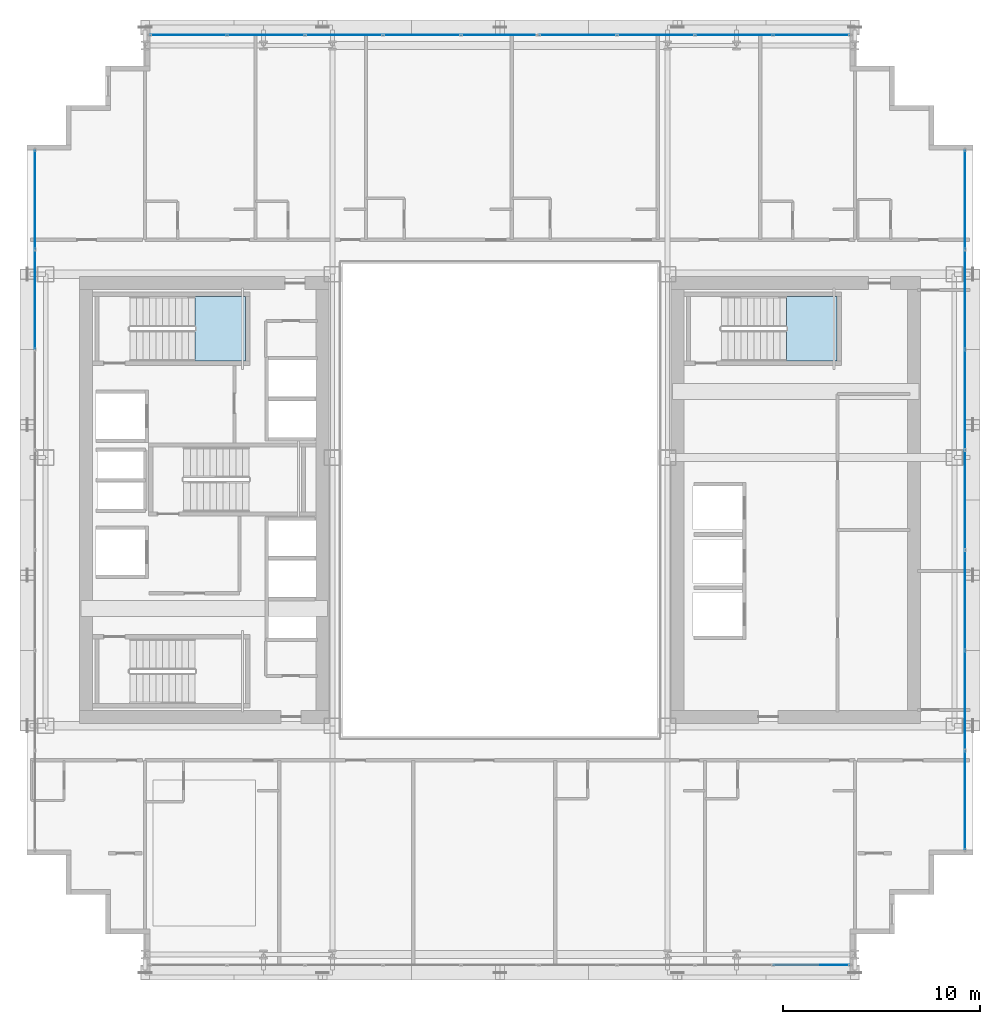
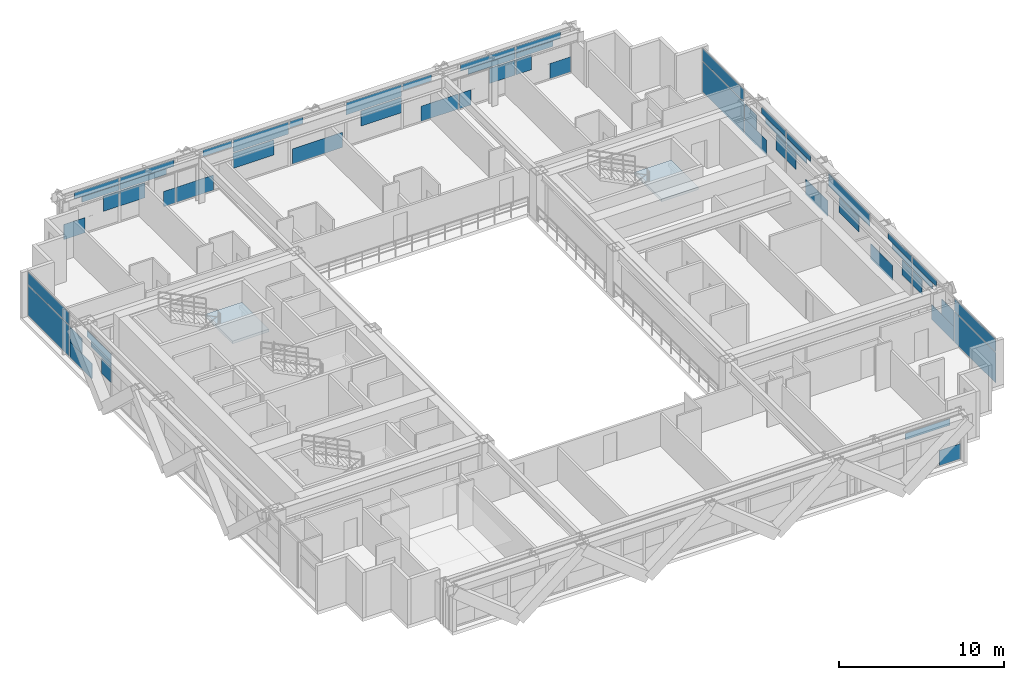
# One storey, part 24 of 35: 59 plates, 2 slabs, 6 elements without a shape of their own.
"""IFC4 building model written with IfcOpenShell, lengths in metres."""

from ifc_helpers import new_model, si_unit, direction, frame, origin, origin_2d, place, context, subcontext, project, spatial, polyline, rectangle, outline, extrude, source, transform, mapped, material, layer, layer_set, type_object, element, aggregate, save


model = new_model("IFC4")

# Units and contexts
model_context = context("Model", 3, precision=1e-05, world=origin(), true_north=direction((0.0, 1.0)))
body_context = subcontext(model_context, "Body", "Model", "MODEL_VIEW")
ifc_project = project(units=[si_unit("LENGTHUNIT", "METRE"), si_unit("AREAUNIT", "SQUARE_METRE"), si_unit("VOLUMEUNIT", "CUBIC_METRE"), si_unit("PLANEANGLEUNIT", "RADIAN"), si_unit("MASSUNIT", "GRAM", prefix="KILO")], contexts=[model_context])

# Site, building, storey
site_placement = place(None, origin())
site = spatial("IfcSite", under=ifc_project, at=site_placement, CompositionType="ELEMENT")
building_placement = place(site_placement, origin())
building = spatial("IfcBuilding", under=site, at=building_placement, Name="Ocotamira Hotel", CompositionType="ELEMENT")
storey_placement = place(building_placement, frame((0.0, 0.0, 144.0)))
storey = spatial("IfcBuildingStorey", under=building, at=storey_placement, Name="L36", CompositionType="ELEMENT", Elevation=144.0)

# Stair, slab
ifc_material_1 = material(Name="Concrete C40/50", Category="concrete")
stair_type = type_object("IfcStairType", Name="ST-CORE-1560", PredefinedType="HALF_TURN_STAIR", material=ifc_material_1)
stair_1_placement = place(storey_placement, origin())
stair_1 = element("IfcStair", 1, at=stair_1_placement, inside=storey, type_object=stair_type, Name="L36 Exit Stair ST-2", PredefinedType="HALF_TURN_STAIR")
ifc_layer_1 = layer(ifc_material_1, 0.199951171875)
ifc_layer_set_1 = layer_set([ifc_layer_1], Name="Concrete C40/50")
slab_type = type_object("IfcSlabType", Name="SLB-LAND-200", PredefinedType="LANDING", material=ifc_layer_set_1)
slab_1_placement = place(storey_placement, frame((0.0, 0.0, 1.60009765625)))
slab_1 = element("IfcSlab", 2, at=slab_1_placement, type_object=slab_type, Name="ST-2 landing 1", PredefinedType="LANDING", context=body_context, shape_type="SweptSolid", body=[
    extrude(outline(polyline([(16.530029296875, 33.050048828125), (19.090087890625, 33.050048828125), (19.090087890625, 36.330078125), (16.530029296875, 36.330078125), (16.530029296875, 33.050048828125)])), origin(), (0.0, 0.0, 1.0), 0.199951171875),
])
aggregate(stair_1, [slab_1])

stair_2_placement = place(storey_placement, origin())
stair_2 = element("IfcStair", 3, at=stair_2_placement, inside=storey, type_object=stair_type, Name="L36 Exit Stair ST-4", PredefinedType="HALF_TURN_STAIR")
slab_2_placement = place(storey_placement, frame((0.0, 0.0, 1.60009765625)))
slab_2 = element("IfcSlab", 4, at=slab_2_placement, type_object=slab_type, Name="ST-4 landing 1", PredefinedType="LANDING", context=body_context, shape_type="SweptSolid", body=[
    extrude(outline(polyline([(46.530029296875, 33.050048828125), (49.090087890625, 33.050048828125), (49.090087890625, 36.330078125), (46.530029296875, 36.330078125), (46.530029296875, 33.050048828125)])), origin(), (0.0, 0.0, 1.0), 0.199951171875),
])
aggregate(stair_2, [slab_2])

# Curtain wall, plate
ifc_material_2 = material(Name="Anodised pale-metal aluminium and solar glass", Category="aluminium")
ifc_layer_2 = layer(ifc_material_2, 0.179931640625)
ifc_layer_set_2 = layer_set([ifc_layer_2], Name="Anodised pale-metal aluminium and solar glass")
curtain_wall_type = type_object("IfcCurtainWallType", Name="CW-SYS3-Z2", PredefinedType="NOTDEFINED", material=ifc_layer_set_2)
curtain_wall_1_placement = place(storey_placement, origin())
curtain_wall_1 = element("IfcCurtainWall", 5, at=curtain_wall_1_placement, inside=storey, type_object=curtain_wall_type, Name="L36 Curtain Wall CW-3 CW-L36-W", PredefinedType="NOTDEFINED")
ifc_material_3 = material(Name="Double-silver low-E insulated solar glass", Category="glass")
ifc_layer_3 = layer(ifc_material_3, 0.031982421875)
ifc_layer_set_3 = layer_set([ifc_layer_3], Name="Double-silver low-E insulated solar glass")
plate_type = type_object("IfcPlateType", Name="CWP-VISION-32", PredefinedType="CURTAIN_PANEL", material=ifc_layer_set_3)
shared_shape_1 = source(origin(), body_context, "Body", "SweptSolid", [
    extrude(rectangle(XDim=4.9658203125, YDim=0.031982421875, at=origin_2d()), origin(), (0.0, 0.0, 1.0), 2.237548828125),
])
plate_1_placement = place(storey_placement, frame((8.419921875, 41.237060546875, 0.0751953125), z_axis=(0.0, 0.0, 1.0), x_axis=(0.0, 1.0, 0.0)))
plate_1 = element("IfcPlate", 6, at=plate_1_placement, type_object=plate_type, Name="CW-3 panel 7.1", PredefinedType="CURTAIN_PANEL", context=body_context, shape_type="MappedRepresentation", body=[
    mapped(shared_shape_1, transform((0.0, 0.0, 0.0), scale=1.0)),
])

# Curtain wall, plates
curtain_wall_2_placement = place(storey_placement, origin())
curtain_wall_2 = element("IfcCurtainWall", 7, at=curtain_wall_2_placement, inside=storey, type_object=curtain_wall_type, Name="L36 Curtain Wall CW-3 CW-L36-E", PredefinedType="NOTDEFINED")
plate_2_placement = place(storey_placement, frame((55.580078125, 10.762939453125, 0.0751953125), z_axis=(0.0, 0.0, 1.0), x_axis=(0.0, 1.0, 0.0)))
plate_2 = element("IfcPlate", 8, at=plate_2_placement, type_object=plate_type, Name="CW-3 panel 1.1", PredefinedType="CURTAIN_PANEL", context=body_context, shape_type="MappedRepresentation", body=[
    mapped(shared_shape_1, transform((0.0, 0.0, 0.0), scale=1.0)),
])
plate_3_placement = place(storey_placement, frame((55.580078125, 41.237060546875, 0.0751953125), z_axis=(0.0, 0.0, 1.0), x_axis=(0.0, 1.0, 0.0)))
plate_3 = element("IfcPlate", 9, at=plate_3_placement, type_object=plate_type, Name="CW-3 panel 7.1", PredefinedType="CURTAIN_PANEL", context=body_context, shape_type="MappedRepresentation", body=[
    mapped(shared_shape_1, transform((0.0, 0.0, 0.0), scale=1.0)),
])

curtain_wall_3_placement = place(storey_placement, origin())
curtain_wall_3 = element("IfcCurtainWall", 10, at=curtain_wall_3_placement, inside=storey, type_object=curtain_wall_type, Name="L36 Curtain Wall CW-3 CW-L36-N", PredefinedType="NOTDEFINED")
shared_shape_2 = source(origin(), body_context, "Body", "SweptSolid", [
    extrude(rectangle(XDim=3.87548828125, YDim=0.031982421875, at=origin_2d()), origin(), (0.0, 0.0, 1.0), 0.8974609375),
])
plate_4_placement = place(storey_placement, frame((28.04443359375, 49.580078125, 2.387451171875), z_axis=(0.0, 0.0, 1.0), x_axis=(1.0, 0.0, 0.0)))
plate_4 = element("IfcPlate", 11, at=plate_4_placement, type_object=plate_type, Name="CW-3 panel 4.2", PredefinedType="CURTAIN_PANEL", context=body_context, shape_type="MappedRepresentation", body=[
    mapped(shared_shape_2, transform((0.0, 0.0, 0.0), scale=1.0)),
])
plate_5_placement = place(storey_placement, frame((35.95556640625, 49.580078125, 2.387451171875), z_axis=(0.0, 0.0, 1.0), x_axis=(1.0, 0.0, 0.0)))
plate_5 = element("IfcPlate", 12, at=plate_5_placement, type_object=plate_type, Name="CW-3 panel 6.2", PredefinedType="CURTAIN_PANEL", context=body_context, shape_type="MappedRepresentation", body=[
    mapped(shared_shape_2, transform((0.0, 0.0, 0.0), scale=1.0)),
])

# Plate
shared_shape_3 = source(origin(), body_context, "Body", "SweptSolid", [
    extrude(rectangle(XDim=4.9658203125, YDim=0.031982421875, at=origin_2d()), origin(), (0.0, 0.0, 1.0), 0.8974609375),
])
plate_6_placement = place(storey_placement, frame((8.419921875, 41.237060546875, 2.387451171875), z_axis=(0.0, 0.0, 1.0), x_axis=(0.0, 1.0, 0.0)))
plate_6 = element("IfcPlate", 13, at=plate_6_placement, type_object=plate_type, Name="CW-3 panel 7.2", PredefinedType="CURTAIN_PANEL", context=body_context, shape_type="MappedRepresentation", body=[
    mapped(shared_shape_3, transform((0.0, 0.0, 0.0), scale=1.0)),
])

plate_7_placement = place(storey_placement, frame((55.580078125, 10.762939453125, 2.387451171875), z_axis=(0.0, 0.0, 1.0), x_axis=(0.0, 1.0, 0.0)))
plate_7 = element("IfcPlate", 14, at=plate_7_placement, type_object=plate_type, Name="CW-3 panel 1.2", PredefinedType="CURTAIN_PANEL", context=body_context, shape_type="MappedRepresentation", body=[
    mapped(shared_shape_3, transform((0.0, 0.0, 0.0), scale=1.0)),
])

plate_8_placement = place(storey_placement, frame((55.580078125, 41.237060546875, 2.387451171875), z_axis=(0.0, 0.0, 1.0), x_axis=(0.0, 1.0, 0.0)))
plate_8 = element("IfcPlate", 15, at=plate_8_placement, type_object=plate_type, Name="CW-3 panel 7.2", PredefinedType="CURTAIN_PANEL", context=body_context, shape_type="MappedRepresentation", body=[
    mapped(shared_shape_3, transform((0.0, 0.0, 0.0), scale=1.0)),
])

shared_shape_4 = source(origin(), body_context, "Body", "SweptSolid", [
    extrude(rectangle(XDim=2.404296875, YDim=0.031982421875, at=origin_2d()), origin(), (0.0, 0.0, 1.0), 1.118896484375),
])
plate_9_placement = place(storey_placement, frame((55.580078125, 26.0, 1.19384765625), z_axis=(0.0, 0.0, 1.0), x_axis=(0.0, 1.0, 0.0)))
plate_9 = element("IfcPlate", 16, at=plate_9_placement, type_object=plate_type, Name="CW-3 panel 4.1.1", PredefinedType="CURTAIN_PANEL", context=body_context, shape_type="MappedRepresentation", body=[
    mapped(shared_shape_4, transform((0.0, 0.0, 0.0), scale=1.0)),
])

# Curtain wall, plate
curtain_wall_4_placement = place(storey_placement, origin())
curtain_wall_4 = element("IfcCurtainWall", 17, at=curtain_wall_4_placement, inside=storey, type_object=curtain_wall_type, Name="L36 Curtain Wall CW-3 CW-L36-S1", PredefinedType="NOTDEFINED")
shared_shape_5 = source(origin(), body_context, "Body", "SweptSolid", [
    extrude(rectangle(XDim=1.47509765625, YDim=0.031982421875, at=origin_2d()), origin(), (0.0, 0.0, 1.0), 1.118896484375),
])
plate_10_placement = place(storey_placement, frame((48.982421875, 2.419921875, 0.0751953125), z_axis=(0.0, 0.0, 1.0), x_axis=(1.0, 0.0, 0.0)))
plate_10 = element("IfcPlate", 18, at=plate_10_placement, type_object=plate_type, Name="CW-3 panel 9.1.2", PredefinedType="CURTAIN_PANEL", context=body_context, shape_type="MappedRepresentation", body=[
    mapped(shared_shape_5, transform((0.0, 0.0, 0.0), scale=1.0)),
])

# Plate
plate_11_placement = place(storey_placement, frame((15.017578125, 49.580078125, 0.0751953125), z_axis=(0.0, 0.0, 1.0), x_axis=(1.0, 0.0, 0.0)))
plate_11 = element("IfcPlate", 19, at=plate_11_placement, type_object=plate_type, Name="CW-3 panel 1.1.1", PredefinedType="CURTAIN_PANEL", context=body_context, shape_type="MappedRepresentation", body=[
    mapped(shared_shape_5, transform((0.0, 0.0, 0.0), scale=1.0)),
])

plate_12_placement = place(storey_placement, frame((48.982421875, 49.580078125, 0.0751953125), z_axis=(0.0, 0.0, 1.0), x_axis=(1.0, 0.0, 0.0)))
plate_12 = element("IfcPlate", 20, at=plate_12_placement, type_object=plate_type, Name="CW-3 panel 9.1.2", PredefinedType="CURTAIN_PANEL", context=body_context, shape_type="MappedRepresentation", body=[
    mapped(shared_shape_5, transform((0.0, 0.0, 0.0), scale=1.0)),
])

shared_shape_6 = source(origin(), body_context, "Body", "SweptSolid", [
    extrude(rectangle(XDim=3.104248046875, YDim=0.031982421875, at=origin_2d()), origin(), (0.0, 0.0, 1.0), 0.4716796875),
])
plate_13_placement = place(storey_placement, frame((47.4365234375, 2.419921875, 2.813232421875), z_axis=(0.0, 0.0, 1.0), x_axis=(1.0, 0.0, 0.0)))
plate_13 = element("IfcPlate", 21, at=plate_13_placement, type_object=plate_type, Name="CW-3 panel 9.2.2", PredefinedType="CURTAIN_PANEL", context=body_context, shape_type="MappedRepresentation", body=[
    mapped(shared_shape_6, transform((0.0, 0.0, 0.0), scale=1.0)),
])

aggregate(curtain_wall_4, [plate_10, plate_13])

plate_14_placement = place(storey_placement, frame((16.5634765625, 49.580078125, 2.813232421875), z_axis=(0.0, 0.0, 1.0), x_axis=(1.0, 0.0, 0.0)))
plate_14 = element("IfcPlate", 22, at=plate_14_placement, type_object=plate_type, Name="CW-3 panel 1.2.1", PredefinedType="CURTAIN_PANEL", context=body_context, shape_type="MappedRepresentation", body=[
    mapped(shared_shape_6, transform((0.0, 0.0, 0.0), scale=1.0)),
])

plate_15_placement = place(storey_placement, frame((47.4365234375, 49.580078125, 2.813232421875), z_axis=(0.0, 0.0, 1.0), x_axis=(1.0, 0.0, 0.0)))
plate_15 = element("IfcPlate", 23, at=plate_15_placement, type_object=plate_type, Name="CW-3 panel 9.2.2", PredefinedType="CURTAIN_PANEL", context=body_context, shape_type="MappedRepresentation", body=[
    mapped(shared_shape_6, transform((0.0, 0.0, 0.0), scale=1.0)),
])

shared_shape_7 = source(origin(), body_context, "Body", "SweptSolid", [
    extrude(rectangle(XDim=0.826171875, YDim=0.031982421875, at=origin_2d()), origin(), (0.0, 0.0, 1.0), 1.118896484375),
])
plate_16_placement = place(storey_placement, frame((21.658203125, 49.580078125, 0.0751953125), z_axis=(0.0, 0.0, 1.0), x_axis=(1.0, 0.0, 0.0)))
plate_16 = element("IfcPlate", 24, at=plate_16_placement, type_object=plate_type, Name="CW-3 panel 2.1.2", PredefinedType="CURTAIN_PANEL", context=body_context, shape_type="MappedRepresentation", body=[
    mapped(shared_shape_7, transform((0.0, 0.0, 0.0), scale=1.0)),
])

plate_17_placement = place(storey_placement, frame((42.341796875, 49.580078125, 0.0751953125), z_axis=(0.0, 0.0, 1.0), x_axis=(1.0, 0.0, 0.0)))
plate_17 = element("IfcPlate", 25, at=plate_17_placement, type_object=plate_type, Name="CW-3 panel 8.1.1", PredefinedType="CURTAIN_PANEL", context=body_context, shape_type="MappedRepresentation", body=[
    mapped(shared_shape_7, transform((0.0, 0.0, 0.0), scale=1.0)),
])

shared_shape_8 = source(origin(), body_context, "Body", "SweptSolid", [
    extrude(rectangle(XDim=3.260986328125, YDim=0.031982421875, at=origin_2d()), origin(), (0.0, 0.0, 1.0), 0.42578125),
])
plate_18_placement = place(storey_placement, frame((19.826171875, 49.580078125, 2.387451171875), z_axis=(0.0, 0.0, 1.0), x_axis=(1.0, 0.0, 0.0)))
plate_18 = element("IfcPlate", 26, at=plate_18_placement, type_object=plate_type, Name="CW-3 panel 2.2.1", PredefinedType="CURTAIN_PANEL", context=body_context, shape_type="MappedRepresentation", body=[
    mapped(shared_shape_8, transform((0.0, 0.0, 0.0), scale=1.0)),
])

plate_19_placement = place(storey_placement, frame((44.173828125, 49.580078125, 2.387451171875), z_axis=(0.0, 0.0, 1.0), x_axis=(1.0, 0.0, 0.0)))
plate_19 = element("IfcPlate", 27, at=plate_19_placement, type_object=plate_type, Name="CW-3 panel 8.2.2", PredefinedType="CURTAIN_PANEL", context=body_context, shape_type="MappedRepresentation", body=[
    mapped(shared_shape_8, transform((0.0, 0.0, 0.0), scale=1.0)),
])

shared_shape_9 = source(origin(), body_context, "Body", "SweptSolid", [
    extrude(rectangle(XDim=3.793212890625, YDim=0.031982421875, at=origin_2d()), origin(), (0.0, 0.0, 1.0), 0.4716796875),
])
plate_20_placement = place(storey_placement, frame((20.09228515625, 49.580078125, 2.813232421875), z_axis=(0.0, 0.0, 1.0), x_axis=(1.0, 0.0, 0.0)))
plate_20 = element("IfcPlate", 28, at=plate_20_placement, type_object=plate_type, Name="CW-3 panel 2.2.2", PredefinedType="CURTAIN_PANEL", context=body_context, shape_type="MappedRepresentation", body=[
    mapped(shared_shape_9, transform((0.0, 0.0, 0.0), scale=1.0)),
])

plate_21_placement = place(storey_placement, frame((43.90771484375, 49.580078125, 2.813232421875), z_axis=(0.0, 0.0, 1.0), x_axis=(1.0, 0.0, 0.0)))
plate_21 = element("IfcPlate", 29, at=plate_21_placement, type_object=plate_type, Name="CW-3 panel 8.2.1", PredefinedType="CURTAIN_PANEL", context=body_context, shape_type="MappedRepresentation", body=[
    mapped(shared_shape_9, transform((0.0, 0.0, 0.0), scale=1.0)),
])

shared_shape_10 = source(origin(), body_context, "Body", "SweptSolid", [
    extrude(rectangle(XDim=2.60400390625, YDim=0.031982421875, at=origin_2d()), origin(), (0.0, 0.0, 1.0), 1.118896484375),
])
plate_22_placement = place(storey_placement, frame((23.453125, 49.580078125, 0.0751953125), z_axis=(0.0, 0.0, 1.0), x_axis=(1.0, 0.0, 0.0)))
plate_22 = element("IfcPlate", 30, at=plate_22_placement, type_object=plate_type, Name="CW-3 panel 3.1.1", PredefinedType="CURTAIN_PANEL", context=body_context, shape_type="MappedRepresentation", body=[
    mapped(shared_shape_10, transform((0.0, 0.0, 0.0), scale=1.0)),
])

plate_23_placement = place(storey_placement, frame((40.546875, 49.580078125, 0.0751953125), z_axis=(0.0, 0.0, 1.0), x_axis=(1.0, 0.0, 0.0)))
plate_23 = element("IfcPlate", 31, at=plate_23_placement, type_object=plate_type, Name="CW-3 panel 7.1.1", PredefinedType="CURTAIN_PANEL", context=body_context, shape_type="MappedRepresentation", body=[
    mapped(shared_shape_10, transform((0.0, 0.0, 0.0), scale=1.0)),
])

shared_shape_11 = source(origin(), body_context, "Body", "SweptSolid", [
    extrude(rectangle(XDim=2.015380859375, YDim=0.031982421875, at=origin_2d()), origin(), (0.0, 0.0, 1.0), 0.4716796875),
])
plate_24_placement = place(storey_placement, frame((25.018798828125, 49.580078125, 2.813232421875), z_axis=(0.0, 0.0, 1.0), x_axis=(1.0, 0.0, 0.0)))
plate_24 = element("IfcPlate", 32, at=plate_24_placement, type_object=plate_type, Name="CW-3 panel 3.2.1", PredefinedType="CURTAIN_PANEL", context=body_context, shape_type="MappedRepresentation", body=[
    mapped(shared_shape_11, transform((0.0, 0.0, 0.0), scale=1.0)),
])

plate_25_placement = place(storey_placement, frame((38.981201171875, 49.580078125, 2.813232421875), z_axis=(0.0, 0.0, 1.0), x_axis=(1.0, 0.0, 0.0)))
plate_25 = element("IfcPlate", 33, at=plate_25_placement, type_object=plate_type, Name="CW-3 panel 7.2.1", PredefinedType="CURTAIN_PANEL", context=body_context, shape_type="MappedRepresentation", body=[
    mapped(shared_shape_11, transform((0.0, 0.0, 0.0), scale=1.0)),
])

shared_shape_12 = source(origin(), body_context, "Body", "SweptSolid", [
    extrude(rectangle(XDim=3.510009765625, YDim=0.031982421875, at=origin_2d()), origin(), (0.0, 0.0, 1.0), 1.118896484375),
])
plate_26_placement = place(storey_placement, frame((32.0, 49.580078125, 0.0751953125), z_axis=(0.0, 0.0, 1.0), x_axis=(1.0, 0.0, 0.0)))
plate_26 = element("IfcPlate", 34, at=plate_26_placement, type_object=plate_type, Name="CW-3 panel 5.1.1", PredefinedType="CURTAIN_PANEL", context=body_context, shape_type="MappedRepresentation", body=[
    mapped(shared_shape_12, transform((0.0, 0.0, 0.0), scale=1.0)),
])

shared_shape_13 = source(origin(), body_context, "Body", "SweptSolid", [
    extrude(rectangle(XDim=0.926513671875, YDim=0.031982421875, at=origin_2d()), origin(), (0.0, 0.0, 1.0), 0.4716796875),
])
plate_27_placement = place(storey_placement, frame((30.525390625, 49.580078125, 2.813232421875), z_axis=(0.0, 0.0, 1.0), x_axis=(1.0, 0.0, 0.0)))
plate_27 = element("IfcPlate", 35, at=plate_27_placement, type_object=plate_type, Name="CW-3 panel 5.2.1", PredefinedType="CURTAIN_PANEL", context=body_context, shape_type="MappedRepresentation", body=[
    mapped(shared_shape_13, transform((0.0, 0.0, 0.0), scale=1.0)),
])

shared_shape_14 = source(origin(), body_context, "Body", "SweptSolid", [
    extrude(rectangle(XDim=2.6728515625, YDim=0.031982421875, at=origin_2d()), origin(), (0.0, 0.0, 1.0), 1.118896484375),
])
plate_28_placement = place(storey_placement, frame((8.419921875, 37.337890625, 0.0751953125), z_axis=(0.0, 0.0, 1.0), x_axis=(0.0, 1.0, 0.0)))
plate_28 = element("IfcPlate", 36, at=plate_28_placement, type_object=plate_type, Name="CW-3 panel 6.1.2", PredefinedType="CURTAIN_PANEL", context=body_context, shape_type="MappedRepresentation", body=[
    mapped(shared_shape_14, transform((0.0, 0.0, 0.0), scale=1.0)),
])

plate_29_placement = place(storey_placement, frame((55.580078125, 14.662109375, 0.0751953125), z_axis=(0.0, 0.0, 1.0), x_axis=(0.0, 1.0, 0.0)))
plate_29 = element("IfcPlate", 37, at=plate_29_placement, type_object=plate_type, Name="CW-3 panel 2.1.1", PredefinedType="CURTAIN_PANEL", context=body_context, shape_type="MappedRepresentation", body=[
    mapped(shared_shape_14, transform((0.0, 0.0, 0.0), scale=1.0)),
])

plate_30_placement = place(storey_placement, frame((55.580078125, 37.337890625, 0.0751953125), z_axis=(0.0, 0.0, 1.0), x_axis=(0.0, 1.0, 0.0)))
plate_30 = element("IfcPlate", 38, at=plate_30_placement, type_object=plate_type, Name="CW-3 panel 6.1.2", PredefinedType="CURTAIN_PANEL", context=body_context, shape_type="MappedRepresentation", body=[
    mapped(shared_shape_14, transform((0.0, 0.0, 0.0), scale=1.0)),
])

shared_shape_15 = source(origin(), body_context, "Body", "SweptSolid", [
    extrude(rectangle(XDim=2.908203125, YDim=0.031982421875, at=origin_2d()), origin(), (0.0, 0.0, 1.0), 0.44873046875),
])
plate_31_placement = place(storey_placement, frame((8.419921875, 35.122802734375, 2.836181640625), z_axis=(0.0, 0.0, 1.0), x_axis=(0.0, 1.0, 0.0)))
plate_31 = element("IfcPlate", 39, at=plate_31_placement, type_object=plate_type, Name="CW-3 panel 6.2.2", PredefinedType="CURTAIN_PANEL", context=body_context, shape_type="MappedRepresentation", body=[
    mapped(shared_shape_15, transform((0.0, 0.0, 0.0), scale=1.0)),
])

plate_32_placement = place(storey_placement, frame((55.580078125, 16.877197265625, 2.836181640625), z_axis=(0.0, 0.0, 1.0), x_axis=(0.0, 1.0, 0.0)))
plate_32 = element("IfcPlate", 40, at=plate_32_placement, type_object=plate_type, Name="CW-3 panel 2.2.1", PredefinedType="CURTAIN_PANEL", context=body_context, shape_type="MappedRepresentation", body=[
    mapped(shared_shape_15, transform((0.0, 0.0, 0.0), scale=1.0)),
])

plate_33_placement = place(storey_placement, frame((55.580078125, 35.122802734375, 2.836181640625), z_axis=(0.0, 0.0, 1.0), x_axis=(0.0, 1.0, 0.0)))
plate_33 = element("IfcPlate", 41, at=plate_33_placement, type_object=plate_type, Name="CW-3 panel 6.2.2", PredefinedType="CURTAIN_PANEL", context=body_context, shape_type="MappedRepresentation", body=[
    mapped(shared_shape_15, transform((0.0, 0.0, 0.0), scale=1.0)),
])

shared_shape_16 = source(origin(), body_context, "Body", "SweptSolid", [
    extrude(rectangle(XDim=2.6826171875, YDim=0.031982421875, at=origin_2d()), origin(), (0.0, 0.0, 1.0), 1.118896484375),
])
plate_34_placement = place(storey_placement, frame((55.580078125, 22.075927734375, 0.0751953125), z_axis=(0.0, 0.0, 1.0), x_axis=(0.0, 1.0, 0.0)))
plate_34 = element("IfcPlate", 42, at=plate_34_placement, type_object=plate_type, Name="CW-3 panel 3.1.2", PredefinedType="CURTAIN_PANEL", context=body_context, shape_type="MappedRepresentation", body=[
    mapped(shared_shape_16, transform((0.0, 0.0, 0.0), scale=1.0)),
])

plate_35_placement = place(storey_placement, frame((55.580078125, 29.924072265625, 0.0751953125), z_axis=(0.0, 0.0, 1.0), x_axis=(0.0, 1.0, 0.0)))
plate_35 = element("IfcPlate", 43, at=plate_35_placement, type_object=plate_type, Name="CW-3 panel 5.1.1", PredefinedType="CURTAIN_PANEL", context=body_context, shape_type="MappedRepresentation", body=[
    mapped(shared_shape_16, transform((0.0, 0.0, 0.0), scale=1.0)),
])

shared_shape_17 = source(origin(), body_context, "Body", "SweptSolid", [
    extrude(rectangle(XDim=2.898681640625, YDim=0.031982421875, at=origin_2d()), origin(), (0.0, 0.0, 1.0), 0.44873046875),
])
plate_36_placement = place(storey_placement, frame((55.580078125, 19.860595703125, 2.836181640625), z_axis=(0.0, 0.0, 1.0), x_axis=(0.0, 1.0, 0.0)))
plate_36 = element("IfcPlate", 44, at=plate_36_placement, type_object=plate_type, Name="CW-3 panel 3.2.2", PredefinedType="CURTAIN_PANEL", context=body_context, shape_type="MappedRepresentation", body=[
    mapped(shared_shape_17, transform((0.0, 0.0, 0.0), scale=1.0)),
])

plate_37_placement = place(storey_placement, frame((55.580078125, 32.139404296875, 2.836181640625), z_axis=(0.0, 0.0, 1.0), x_axis=(0.0, 1.0, 0.0)))
plate_37 = element("IfcPlate", 45, at=plate_37_placement, type_object=plate_type, Name="CW-3 panel 5.2.1", PredefinedType="CURTAIN_PANEL", context=body_context, shape_type="MappedRepresentation", body=[
    mapped(shared_shape_17, transform((0.0, 0.0, 0.0), scale=1.0)),
])

shared_shape_18 = source(origin(), body_context, "Body", "SweptSolid", [
    extrude(rectangle(XDim=5.005615234375, YDim=0.031982421875, at=origin_2d()), origin(), (0.0, 0.0, 1.0), 0.8974609375),
])
plate_38_placement = place(storey_placement, frame((55.580078125, 26.0, 2.387451171875), z_axis=(0.0, 0.0, 1.0), x_axis=(0.0, 1.0, 0.0)))
plate_38 = element("IfcPlate", 46, at=plate_38_placement, type_object=plate_type, Name="CW-3 panel 4.2", PredefinedType="CURTAIN_PANEL", context=body_context, shape_type="MappedRepresentation", body=[
    mapped(shared_shape_18, transform((0.0, 0.0, 0.0), scale=1.0)),
])

shared_shape_19 = source(origin(), body_context, "Body", "SweptSolid", [
    extrude(rectangle(XDim=1.079833984375, YDim=0.031982421875, at=origin_2d()), origin(), (0.0, 0.0, 1.0), 1.118896484375),
])
plate_39_placement = place(storey_placement, frame((17.57568359375, 49.580078125, 1.19384765625), z_axis=(0.0, 0.0, 1.0), x_axis=(1.0, 0.0, 0.0)))
plate_39 = element("IfcPlate", 47, at=plate_39_placement, type_object=plate_type, Name="CW-3 panel 1.1.2", PredefinedType="CURTAIN_PANEL", context=body_context, shape_type="MappedRepresentation", body=[
    mapped(shared_shape_19, transform((0.0, 0.0, 0.0), scale=1.0)),
])

plate_40_placement = place(storey_placement, frame((46.42431640625, 49.580078125, 1.19384765625), z_axis=(0.0, 0.0, 1.0), x_axis=(1.0, 0.0, 0.0)))
plate_40 = element("IfcPlate", 48, at=plate_40_placement, type_object=plate_type, Name="CW-3 panel 9.1.1", PredefinedType="CURTAIN_PANEL", context=body_context, shape_type="MappedRepresentation", body=[
    mapped(shared_shape_19, transform((0.0, 0.0, 0.0), scale=1.0)),
])

shared_shape_20 = source(origin(), body_context, "Body", "SweptSolid", [
    extrude(rectangle(XDim=1.768798828125, YDim=0.031982421875, at=origin_2d()), origin(), (0.0, 0.0, 1.0), 1.118896484375),
])
plate_41_placement = place(storey_placement, frame((19.080078125, 49.580078125, 1.19384765625), z_axis=(0.0, 0.0, 1.0), x_axis=(1.0, 0.0, 0.0)))
plate_41 = element("IfcPlate", 49, at=plate_41_placement, type_object=plate_type, Name="CW-3 panel 2.1.1", PredefinedType="CURTAIN_PANEL", context=body_context, shape_type="MappedRepresentation", body=[
    mapped(shared_shape_20, transform((0.0, 0.0, 0.0), scale=1.0)),
])

plate_42_placement = place(storey_placement, frame((44.919921875, 49.580078125, 1.19384765625), z_axis=(0.0, 0.0, 1.0), x_axis=(1.0, 0.0, 0.0)))
plate_42 = element("IfcPlate", 50, at=plate_42_placement, type_object=plate_type, Name="CW-3 panel 8.1.2", PredefinedType="CURTAIN_PANEL", context=body_context, shape_type="MappedRepresentation", body=[
    mapped(shared_shape_20, transform((0.0, 0.0, 0.0), scale=1.0)),
])

shared_shape_21 = source(origin(), body_context, "Body", "SweptSolid", [
    extrude(rectangle(XDim=2.857666015625, YDim=0.031982421875, at=origin_2d()), origin(), (0.0, 0.0, 1.0), 1.118896484375),
])
plate_43_placement = place(storey_placement, frame((27.535400390625, 49.580078125, 1.19384765625), z_axis=(0.0, 0.0, 1.0), x_axis=(1.0, 0.0, 0.0)))
plate_43 = element("IfcPlate", 51, at=plate_43_placement, type_object=plate_type, Name="CW-3 panel 4.1.1", PredefinedType="CURTAIN_PANEL", context=body_context, shape_type="MappedRepresentation", body=[
    mapped(shared_shape_21, transform((0.0, 0.0, 0.0), scale=1.0)),
])

plate_44_placement = place(storey_placement, frame((36.464599609375, 49.580078125, 1.19384765625), z_axis=(0.0, 0.0, 1.0), x_axis=(1.0, 0.0, 0.0)))
plate_44 = element("IfcPlate", 52, at=plate_44_placement, type_object=plate_type, Name="CW-3 panel 6.1.1", PredefinedType="CURTAIN_PANEL", context=body_context, shape_type="MappedRepresentation", body=[
    mapped(shared_shape_21, transform((0.0, 0.0, 0.0), scale=1.0)),
])

shared_shape_22 = source(origin(), body_context, "Body", "SweptSolid", [
    extrude(rectangle(XDim=1.48681640625, YDim=0.031982421875, at=origin_2d()), origin(), (0.0, 0.0, 1.0), 1.118896484375),
])
plate_45_placement = place(storey_placement, frame((8.419921875, 37.930908203125, 1.19384765625), z_axis=(0.0, 0.0, 1.0), x_axis=(0.0, 1.0, 0.0)))
plate_45 = element("IfcPlate", 53, at=plate_45_placement, type_object=plate_type, Name="CW-3 panel 6.1.3", PredefinedType="CURTAIN_PANEL", context=body_context, shape_type="MappedRepresentation", body=[
    mapped(shared_shape_22, transform((0.0, 0.0, 0.0), scale=1.0)),
])

plate_46_placement = place(storey_placement, frame((55.580078125, 14.069091796875, 1.19384765625), z_axis=(0.0, 0.0, 1.0), x_axis=(0.0, 1.0, 0.0)))
plate_46 = element("IfcPlate", 54, at=plate_46_placement, type_object=plate_type, Name="CW-3 panel 2.1.2", PredefinedType="CURTAIN_PANEL", context=body_context, shape_type="MappedRepresentation", body=[
    mapped(shared_shape_22, transform((0.0, 0.0, 0.0), scale=1.0)),
])

plate_47_placement = place(storey_placement, frame((55.580078125, 37.930908203125, 1.19384765625), z_axis=(0.0, 0.0, 1.0), x_axis=(0.0, 1.0, 0.0)))
plate_47 = element("IfcPlate", 55, at=plate_47_placement, type_object=plate_type, Name="CW-3 panel 6.1.3", PredefinedType="CURTAIN_PANEL", context=body_context, shape_type="MappedRepresentation", body=[
    mapped(shared_shape_22, transform((0.0, 0.0, 0.0), scale=1.0)),
])

shared_shape_23 = source(origin(), body_context, "Body", "SweptSolid", [
    extrude(rectangle(XDim=1.1669921875, YDim=0.031982421875, at=origin_2d()), origin(), (0.0, 0.0, 1.0), 1.118896484375),
])
plate_48_placement = place(storey_placement, frame((8.419921875, 34.251953125, 1.19384765625), z_axis=(0.0, 0.0, 1.0), x_axis=(0.0, 1.0, 0.0)))
plate_48 = element("IfcPlate", 56, at=plate_48_placement, type_object=plate_type, Name="CW-3 panel 6.1.1", PredefinedType="CURTAIN_PANEL", context=body_context, shape_type="MappedRepresentation", body=[
    mapped(shared_shape_23, transform((0.0, 0.0, 0.0), scale=1.0)),
])

plate_49_placement = place(storey_placement, frame((55.580078125, 17.748046875, 1.19384765625), z_axis=(0.0, 0.0, 1.0), x_axis=(0.0, 1.0, 0.0)))
plate_49 = element("IfcPlate", 57, at=plate_49_placement, type_object=plate_type, Name="CW-3 panel 2.1.3", PredefinedType="CURTAIN_PANEL", context=body_context, shape_type="MappedRepresentation", body=[
    mapped(shared_shape_23, transform((0.0, 0.0, 0.0), scale=1.0)),
])

plate_50_placement = place(storey_placement, frame((55.580078125, 34.251953125, 1.19384765625), z_axis=(0.0, 0.0, 1.0), x_axis=(0.0, 1.0, 0.0)))
plate_50 = element("IfcPlate", 58, at=plate_50_placement, type_object=plate_type, Name="CW-3 panel 6.1.1", PredefinedType="CURTAIN_PANEL", context=body_context, shape_type="MappedRepresentation", body=[
    mapped(shared_shape_23, transform((0.0, 0.0, 0.0), scale=1.0)),
])

shared_shape_24 = source(origin(), body_context, "Body", "SweptSolid", [
    extrude(rectangle(XDim=1.1572265625, YDim=0.031982421875, at=origin_2d()), origin(), (0.0, 0.0, 1.0), 1.118896484375),
])
plate_51_placement = place(storey_placement, frame((55.580078125, 18.989990234375, 1.19384765625), z_axis=(0.0, 0.0, 1.0), x_axis=(0.0, 1.0, 0.0)))
plate_51 = element("IfcPlate", 59, at=plate_51_placement, type_object=plate_type, Name="CW-3 panel 3.1.1", PredefinedType="CURTAIN_PANEL", context=body_context, shape_type="MappedRepresentation", body=[
    mapped(shared_shape_24, transform((0.0, 0.0, 0.0), scale=1.0)),
])

plate_52_placement = place(storey_placement, frame((55.580078125, 33.010009765625, 1.19384765625), z_axis=(0.0, 0.0, 1.0), x_axis=(0.0, 1.0, 0.0)))
plate_52 = element("IfcPlate", 60, at=plate_52_placement, type_object=plate_type, Name="CW-3 panel 5.1.2", PredefinedType="CURTAIN_PANEL", context=body_context, shape_type="MappedRepresentation", body=[
    mapped(shared_shape_24, transform((0.0, 0.0, 0.0), scale=1.0)),
])

shared_shape_25 = source(origin(), body_context, "Body", "SweptSolid", [
    extrude(rectangle(XDim=2.572021484375, YDim=0.031982421875, at=origin_2d()), origin(), (0.0, 0.0, 1.0), 0.39208984375),
])
plate_53_placement = place(storey_placement, frame((16.82958984375, 49.580078125, 2.387451171875), z_axis=(0.0, 0.0, 1.0), x_axis=(1.0, 0.0, 0.0)))
plate_53 = element("IfcPlate", 61, at=plate_53_placement, type_object=plate_type, Name="CW-3 panel 1.2.2", PredefinedType="CURTAIN_PANEL", context=body_context, shape_type="MappedRepresentation", body=[
    mapped(shared_shape_25, transform((0.0, 0.0, 0.0), scale=1.0)),
])

plate_54_placement = place(storey_placement, frame((47.17041015625, 49.580078125, 2.387451171875), z_axis=(0.0, 0.0, 1.0), x_axis=(1.0, 0.0, 0.0)))
plate_54 = element("IfcPlate", 62, at=plate_54_placement, type_object=plate_type, Name="CW-3 panel 9.2.1", PredefinedType="CURTAIN_PANEL", context=body_context, shape_type="MappedRepresentation", body=[
    mapped(shared_shape_25, transform((0.0, 0.0, 0.0), scale=1.0)),
])

aggregate(curtain_wall_3, [plate_11, plate_39, plate_14, plate_53, plate_41, plate_16, plate_18, plate_20, plate_22, plate_24, plate_43, plate_4, plate_26, plate_27, plate_44, plate_5, plate_23, plate_25, plate_17, plate_42, plate_21, plate_19, plate_40, plate_12, plate_54, plate_15])

shared_shape_26 = source(origin(), body_context, "Body", "SweptSolid", [
    extrude(rectangle(XDim=2.4326171875, YDim=0.031982421875, at=origin_2d()), origin(), (0.0, 0.0, 1.0), 0.41162109375),
])
plate_55_placement = place(storey_placement, frame((8.419921875, 34.884765625, 2.387451171875), z_axis=(0.0, 0.0, 1.0), x_axis=(0.0, 1.0, 0.0)))
plate_55 = element("IfcPlate", 63, at=plate_55_placement, type_object=plate_type, Name="CW-3 panel 6.2.1", PredefinedType="CURTAIN_PANEL", context=body_context, shape_type="MappedRepresentation", body=[
    mapped(shared_shape_26, transform((0.0, 0.0, 0.0), scale=1.0)),
])

aggregate(curtain_wall_1, [plate_48, plate_28, plate_45, plate_55, plate_31, plate_1, plate_6])

plate_56_placement = place(storey_placement, frame((55.580078125, 17.115234375, 2.387451171875), z_axis=(0.0, 0.0, 1.0), x_axis=(0.0, 1.0, 0.0)))
plate_56 = element("IfcPlate", 64, at=plate_56_placement, type_object=plate_type, Name="CW-3 panel 2.2.2", PredefinedType="CURTAIN_PANEL", context=body_context, shape_type="MappedRepresentation", body=[
    mapped(shared_shape_26, transform((0.0, 0.0, 0.0), scale=1.0)),
])

plate_57_placement = place(storey_placement, frame((55.580078125, 34.884765625, 2.387451171875), z_axis=(0.0, 0.0, 1.0), x_axis=(0.0, 1.0, 0.0)))
plate_57 = element("IfcPlate", 65, at=plate_57_placement, type_object=plate_type, Name="CW-3 panel 6.2.1", PredefinedType="CURTAIN_PANEL", context=body_context, shape_type="MappedRepresentation", body=[
    mapped(shared_shape_26, transform((0.0, 0.0, 0.0), scale=1.0)),
])

shared_shape_27 = source(origin(), body_context, "Body", "SweptSolid", [
    extrude(rectangle(XDim=2.4228515625, YDim=0.031982421875, at=origin_2d()), origin(), (0.0, 0.0, 1.0), 0.41162109375),
])
plate_58_placement = place(storey_placement, frame((55.580078125, 19.622802734375, 2.387451171875), z_axis=(0.0, 0.0, 1.0), x_axis=(0.0, 1.0, 0.0)))
plate_58 = element("IfcPlate", 66, at=plate_58_placement, type_object=plate_type, Name="CW-3 panel 3.2.1", PredefinedType="CURTAIN_PANEL", context=body_context, shape_type="MappedRepresentation", body=[
    mapped(shared_shape_27, transform((0.0, 0.0, 0.0), scale=1.0)),
])

plate_59_placement = place(storey_placement, frame((55.580078125, 32.377197265625, 2.387451171875), z_axis=(0.0, 0.0, 1.0), x_axis=(0.0, 1.0, 0.0)))
plate_59 = element("IfcPlate", 67, at=plate_59_placement, type_object=plate_type, Name="CW-3 panel 5.2.2", PredefinedType="CURTAIN_PANEL", context=body_context, shape_type="MappedRepresentation", body=[
    mapped(shared_shape_27, transform((0.0, 0.0, 0.0), scale=1.0)),
])

aggregate(curtain_wall_2, [plate_2, plate_7, plate_29, plate_46, plate_49, plate_32, plate_56, plate_51, plate_34, plate_58, plate_36, plate_9, plate_38, plate_35, plate_52, plate_37, plate_59, plate_50, plate_30, plate_47, plate_57, plate_33, plate_3, plate_8])

save(model, "model.ifc")
